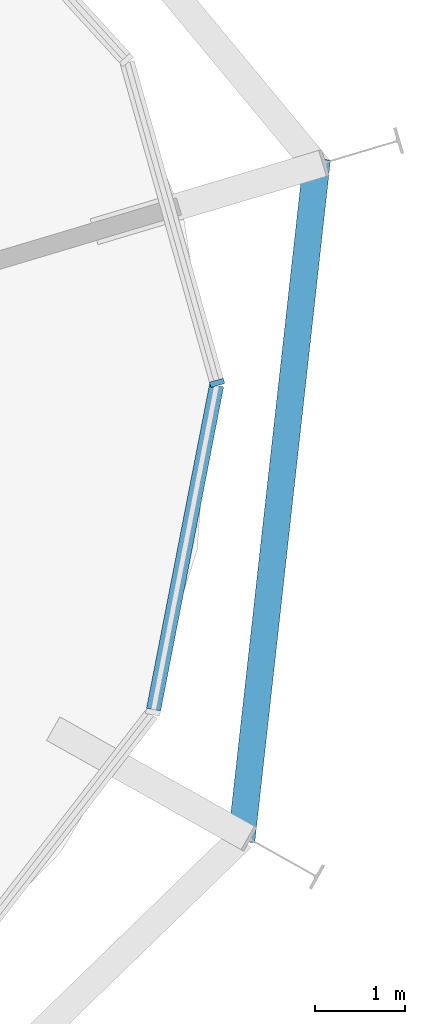
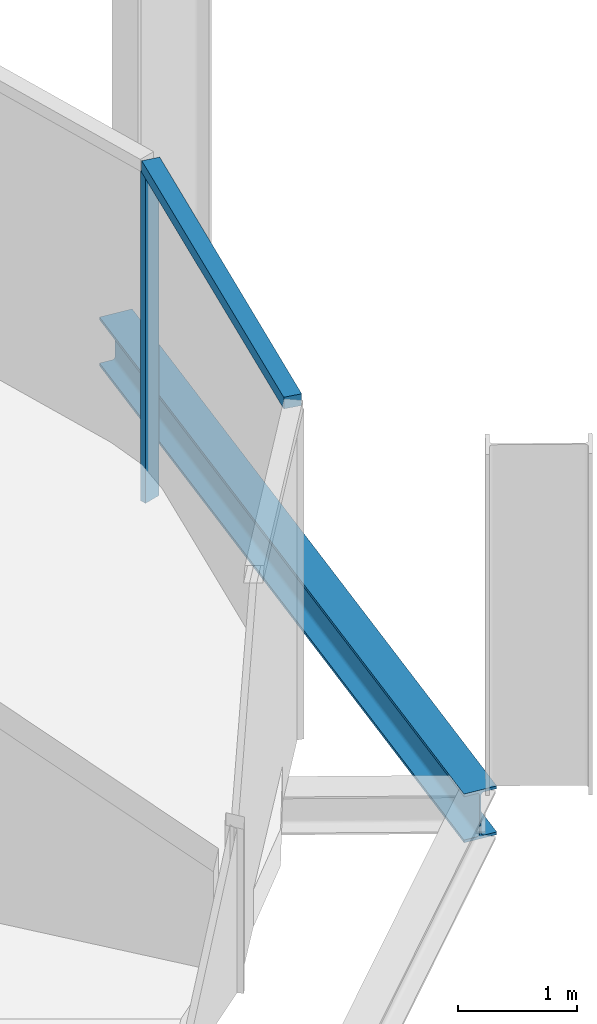
# One storey, part 5 of 18: 2 members, 1 beam, 1 element without a shape of its own.
"""IFC4 building model written with IfcOpenShell, lengths in metres."""

from ifc_helpers import new_model, si_unit, direction, frame, origin, origin_2d, place, context, subcontext, project, spatial, rectangle, i_section, extrude, material, layer, layer_set, material_profile, profile_set, type_object, element, aggregate, save


model = new_model("IFC4")

# Units and contexts
model_context = context("Model", 3, precision=1e-05, world=origin(), true_north=direction((0.0, 1.0)))
body_context = subcontext(model_context, "Body", "Model", "MODEL_VIEW")
ifc_project = project(units=[si_unit("LENGTHUNIT", "METRE"), si_unit("AREAUNIT", "SQUARE_METRE"), si_unit("VOLUMEUNIT", "CUBIC_METRE"), si_unit("PLANEANGLEUNIT", "RADIAN"), si_unit("MASSUNIT", "GRAM", prefix="KILO")], contexts=[model_context])

# Site, building, storey
site_placement = place(None, origin())
site = spatial("IfcSite", under=ifc_project, at=site_placement, CompositionType="ELEMENT")
building_placement = place(site_placement, origin())
building = spatial("IfcBuilding", under=site, at=building_placement, Name="Spindle Arch Residences", CompositionType="ELEMENT")
storey_placement = place(building_placement, frame((0.0, 0.0, 280.89990234375)))
storey = spatial("IfcBuildingStorey", under=building, at=storey_placement, Name="L72", CompositionType="ELEMENT", Elevation=280.89990234375)

# Curtain wall, members
ifc_material_1 = material(Name="Aluminium bronze unitised frame with tinted glass", Category="aluminium")
ifc_layer = layer(ifc_material_1, 0.159912109375)
ifc_layer_set = layer_set([ifc_layer], Name="CW-D corner wall on the fillet arcs")
curtain_wall_type = type_object("IfcCurtainWallType", Name="CW-D corner wall on the fillet arcs", PredefinedType="NOTDEFINED", material=ifc_layer_set)
curtain_wall_placement = place(storey_placement, origin())
curtain_wall = element("IfcCurtainWall", 1, at=curtain_wall_placement, inside=storey, type_object=curtain_wall_type, Name="CW-D L72 run 1", PredefinedType="NOTDEFINED")
ifc_material_2 = material(Name="Aluminium bronze anodised mullion", Category="aluminium")
ifc_material_profile_1 = material_profile(ifc_material_2, rectangle(XDim=0.159912109375, YDim=0.06005859375, at=origin_2d()), Name="MU 60x160")
ifc_profile_set_1 = profile_set([ifc_material_profile_1], Name="Aluminium bronze anodised mullion")
member_type_1 = type_object("IfcMemberType", Name="Bronze mullion 60x160", PredefinedType="MULLION", material=ifc_profile_set_1)
member_1_placement = place(storey_placement, frame((26.832763671875, 3.300048828125, -0.3798828125), z_axis=(0.0, 0.0, 1.0), x_axis=(-0.962849012696, -0.270040328007, 0.0)))
member_1 = element("IfcMember", 2, at=member_1_placement, type_object=member_type_1, Name="CW-D mullion 03", PredefinedType="MULLION", context=body_context, shape_type="SweptSolid", body=[
    extrude(rectangle(XDim=0.159912109375, YDim=0.06005859375, at=origin_2d()), origin(), (0.0, 0.0, 1.0), 3.3798828125),
])
ifc_material_3 = material(Name="Aluminium bronze anodised transom", Category="aluminium")
ifc_material_profile_2 = material_profile(ifc_material_3, rectangle(XDim=0.159912109375, YDim=0.1201171875, at=origin_2d()), Name="TR 120x160")
ifc_profile_set_2 = profile_set([ifc_material_profile_2], Name="Aluminium bronze anodised transom")
member_type_2 = type_object("IfcMemberType", Name="Bronze transom 120x160", PredefinedType="USERDEFINED", material=ifc_profile_set_2)
member_2_placement = place(storey_placement, frame((26.127197265625, -0.32861328125, 3.06005859375), z_axis=(0.190825105639, 0.981624051793, 0.0), x_axis=(-0.981624051793, 0.190825105639, 0.0)))
member_2 = element("IfcMember", 3, at=member_2_placement, type_object=member_type_2, Name="CW-D transom 02", ObjectType="TRANSOM", PredefinedType="USERDEFINED", context=body_context, shape_type="SweptSolid", body=[
    extrude(rectangle(XDim=0.159912109375, YDim=0.1201171875, at=origin_2d()), origin(), (0.0, 0.0, 1.0), 3.666748046875),
])
aggregate(curtain_wall, [member_2, member_1])

# Beam
ifc_material_4 = material(Name="Steel S460ML, intumescent coating R 120", Category="steel")
ifc_material_profile_3 = material_profile(ifc_material_4, i_section(OverallWidth=0.300048828125, OverallDepth=0.5, WebThickness=0.014404296875, FlangeThickness=0.028076171875, FilletRadius=0.027099609375, at=origin_2d()), Name="HEB 500")
ifc_profile_set_3 = profile_set([ifc_material_profile_3], Name="Steel S460ML, intumescent coating R 120")
beam_type = type_object("IfcBeamType", Name="Exoskeleton edge beam HEB 500", PredefinedType="BEAM", material=ifc_profile_set_3)
beam_placement = place(storey_placement, frame((27.102294921875, -1.793701171875, -0.6298828125), z_axis=(0.110238412097, 0.99390517279, 0.0), x_axis=(-0.99390517279, 0.110238412097, 0.0)))
element("IfcBeam", 4, at=beam_placement, inside=storey, type_object=beam_type, Name="Exoskeleton edge beam 3", PredefinedType="BEAM", context=body_context, shape_type="SweptSolid", body=[
    extrude(i_section(OverallWidth=0.300048828125, OverallDepth=0.5, WebThickness=0.014404296875, FlangeThickness=0.028076171875, FilletRadius=0.027099609375, at=origin_2d()), origin(), (0.0, 0.0, 1.0), 7.6318359375),
])

save(model, "model.ifc")
